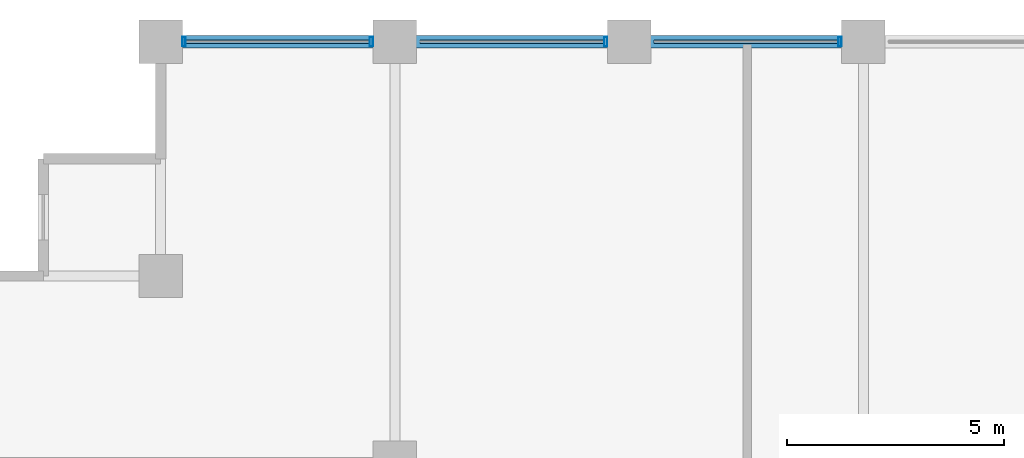
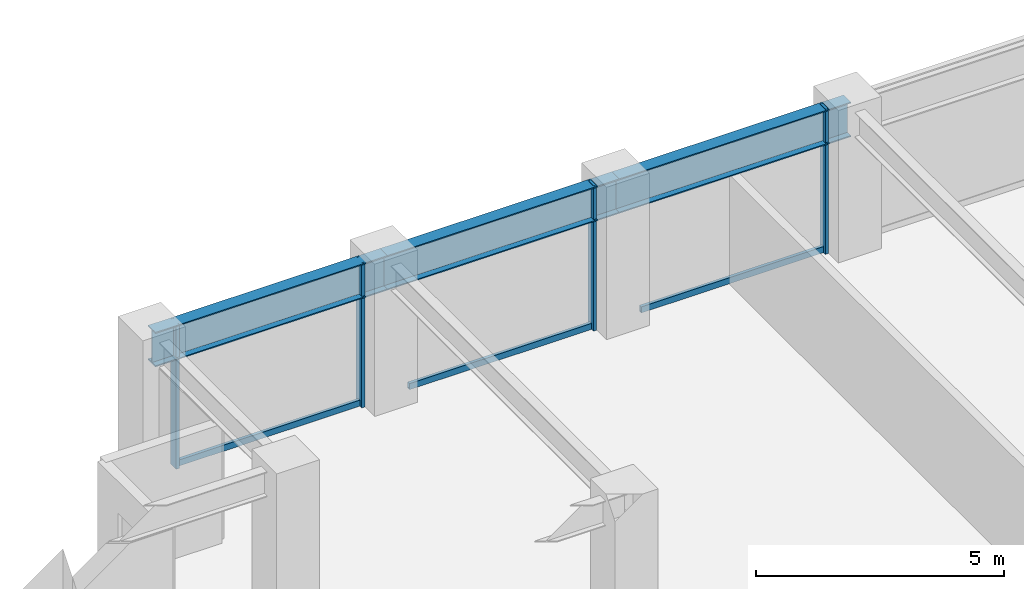
# One storey, part 12 of 23: 7 members, 3 beams, 1 element without a shape of its own.
"""IFC4 building model written with IfcOpenShell, lengths in metres."""

from ifc_helpers import new_model, si_unit, direction, frame, origin, origin_2d, place, context, subcontext, project, spatial, hollow_rectangle, i_section, extrude, material, layer, layer_set, material_profile, profile_set, type_object, element, aggregate, save


model = new_model("IFC4")

# Units and contexts
model_context = context("Model", 3, precision=1e-05, world=origin(), true_north=direction((0.0, 1.0)))
body_context = subcontext(model_context, "Body", "Model", "MODEL_VIEW")
ifc_project = project(units=[si_unit("LENGTHUNIT", "METRE"), si_unit("AREAUNIT", "SQUARE_METRE"), si_unit("VOLUMEUNIT", "CUBIC_METRE"), si_unit("PLANEANGLEUNIT", "RADIAN"), si_unit("MASSUNIT", "GRAM", prefix="KILO")], contexts=[model_context])

# Site, building, storey
site_placement = place(None, origin())
site = spatial("IfcSite", under=ifc_project, at=site_placement, CompositionType="ELEMENT")
building_placement = place(site_placement, origin())
building = spatial("IfcBuilding", under=site, at=building_placement, Name="Surkhivell Harbour Commons", CompositionType="ELEMENT")
storey_placement = place(building_placement, frame((0.0, 0.0, 128.25)))
storey = spatial("IfcBuildingStorey", under=building, at=storey_placement, Name="L33", CompositionType="ELEMENT", Elevation=128.25)

# Beams
ifc_material_1 = material(Name="Steel S460", Category="steel")
ifc_material_profile_1 = material_profile(ifc_material_1, i_section(OverallWidth=0.2939453125, OverallDepth=0.85107421875, WebThickness=0.01611328125, FlangeThickness=0.02685546875, at=origin_2d()), Name="UB838x292x226")
ifc_profile_set_1 = profile_set([ifc_material_profile_1], Name="Steel S460")
beam_type = type_object("IfcBeamType", Name="BM-SPN-838", PredefinedType="SPANDREL", material=ifc_profile_set_1)
beam_1_placement = place(storey_placement, frame((-27.0, 25.89990234375, 3.14453125), z_axis=(1.0, 0.0, 0.0), x_axis=(0.0, 1.0, 0.0)))
element("IfcBeam", 1, at=beam_1_placement, inside=storey, type_object=beam_type, Name="L33 Tube Spandrel (-27.0,25.9)", PredefinedType="SPANDREL", context=body_context, shape_type="SweptSolid", body=[
    extrude(i_section(OverallWidth=0.2939453125, OverallDepth=0.85107421875, WebThickness=0.01611328125, FlangeThickness=0.02685546875, at=origin_2d()), origin(), (0.0, 0.0, 1.0), 5.39990234375),
])
beam_2_placement = place(storey_placement, frame((-21.60009765625, 25.89990234375, 3.14453125), z_axis=(1.0, 0.0, 0.0), x_axis=(0.0, 1.0, 0.0)))
element("IfcBeam", 2, at=beam_2_placement, inside=storey, type_object=beam_type, Name="L33 Tube Spandrel (-21.6,25.9)", PredefinedType="SPANDREL", context=body_context, shape_type="SweptSolid", body=[
    extrude(i_section(OverallWidth=0.2939453125, OverallDepth=0.85107421875, WebThickness=0.01611328125, FlangeThickness=0.02685546875, at=origin_2d()), origin(), (0.0, 0.0, 1.0), 5.400146484375),
])
beam_3_placement = place(storey_placement, frame((-16.199951171875, 25.89990234375, 3.14453125), z_axis=(1.0, 0.0, 0.0), x_axis=(0.0, 1.0, 0.0)))
element("IfcBeam", 3, at=beam_3_placement, inside=storey, type_object=beam_type, Name="L33 Tube Spandrel (-16.2,25.9)", PredefinedType="SPANDREL", context=body_context, shape_type="SweptSolid", body=[
    extrude(i_section(OverallWidth=0.2939453125, OverallDepth=0.85107421875, WebThickness=0.01611328125, FlangeThickness=0.02685546875, at=origin_2d()), origin(), (0.0, 0.0, 1.0), 5.39990234375),
])

# Curtain wall, members
ifc_material_2 = material(Name="Anodised pale-metal aluminium and insulated glazing", Category="aluminium")
ifc_layer = layer(ifc_material_2, 0.205078125)
ifc_layer_set = layer_set([ifc_layer], Name="Anodised pale-metal aluminium and insulated glazing")
curtain_wall_type = type_object("IfcCurtainWallType", Name="CW-SYS-Z2", PredefinedType="NOTDEFINED", material=ifc_layer_set)
curtain_wall_placement = place(storey_placement, origin())
curtain_wall = element("IfcCurtainWall", 4, at=curtain_wall_placement, inside=storey, type_object=curtain_wall_type, Name="L33 Curtain Wall CW-L33-E07S2", PredefinedType="NOTDEFINED")
ifc_material_3 = material(Name="Anodised pale-metal aluminium alloy 6063-T6", Category="aluminium")
ifc_material_profile_2 = material_profile(ifc_material_3, hollow_rectangle(XDim=0.074951171875, YDim=0.219970703125, WallThickness=0.00390625, at=origin_2d()), Name="ALU-MULL-75x220")
ifc_profile_set_2 = profile_set([ifc_material_profile_2], Name="Anodised pale-metal aluminium alloy 6063-T6")
member_type_1 = type_object("IfcMemberType", Name="CWM-220", PredefinedType="MULLION", material=ifc_profile_set_2)
member_1_placement = place(storey_placement, frame((-11.339599609375, 25.89990234375, 0.0), z_axis=(0.0, 0.0, 1.0), x_axis=(-1.0, 0.0, 0.0)))
member_1 = element("IfcMember", 5, at=member_1_placement, type_object=member_type_1, Name="CW-Z2 mullion 2", PredefinedType="MULLION", context=body_context, shape_type="SweptSolid", body=[
    extrude(hollow_rectangle(XDim=0.074951171875, YDim=0.219970703125, WallThickness=0.00390625, at=origin_2d()), origin(), (0.0, 0.0, 1.0), 3.570068359375),
])
member_2_placement = place(storey_placement, frame((-16.739501953125, 25.89990234375, 0.0), z_axis=(0.0, 0.0, 1.0), x_axis=(-1.0, 0.0, 0.0)))
member_2 = element("IfcMember", 6, at=member_2_placement, type_object=member_type_1, Name="CW-Z2 mullion 3", PredefinedType="MULLION", context=body_context, shape_type="SweptSolid", body=[
    extrude(hollow_rectangle(XDim=0.074951171875, YDim=0.219970703125, WallThickness=0.00390625, at=origin_2d()), origin(), (0.0, 0.0, 1.0), 3.570068359375),
])
member_3_placement = place(storey_placement, frame((-22.139404296875, 25.89990234375, 0.0), z_axis=(0.0, 0.0, 1.0), x_axis=(-1.0, 0.0, 0.0)))
member_3 = element("IfcMember", 7, at=member_3_placement, type_object=member_type_1, Name="CW-Z2 mullion 4", PredefinedType="MULLION", context=body_context, shape_type="SweptSolid", body=[
    extrude(hollow_rectangle(XDim=0.074951171875, YDim=0.219970703125, WallThickness=0.00390625, at=origin_2d()), origin(), (0.0, 0.0, 1.0), 3.570068359375),
])
member_4_placement = place(storey_placement, frame((-26.46044921875, 25.89990234375, 0.0), z_axis=(0.0, 0.0, 1.0), x_axis=(-1.0, 0.0, 0.0)))
member_4 = element("IfcMember", 8, at=member_4_placement, type_object=member_type_1, Name="CW-Z2 mullion 5", PredefinedType="MULLION", context=body_context, shape_type="SweptSolid", body=[
    extrude(hollow_rectangle(XDim=0.074951171875, YDim=0.219970703125, WallThickness=0.00390625, at=origin_2d()), origin(), (0.0, 0.0, 1.0), 3.570068359375),
])
ifc_material_profile_3 = material_profile(ifc_material_3, hollow_rectangle(XDim=0.074951171875, YDim=0.14990234375, WallThickness=0.00341796875, at=origin_2d()), Name="ALU-TRAN-75x150")
ifc_profile_set_3 = profile_set([ifc_material_profile_3], Name="Anodised pale-metal aluminium alloy 6063-T6")
member_type_2 = type_object("IfcMemberType", Name="CWT-150", PredefinedType="USERDEFINED", material=ifc_profile_set_3)
member_5_placement = place(storey_placement, frame((-11.376953125, 25.89990234375, 0.074951171875), z_axis=(-1.0, 0.0, 0.0), x_axis=(0.0, -1.0, 0.0)))
member_5 = element("IfcMember", 9, at=member_5_placement, type_object=member_type_2, Name="CW-Z2 transom 2.1", ObjectType="TRANSOM", PredefinedType="USERDEFINED", context=body_context, shape_type="SweptSolid", body=[
    extrude(hollow_rectangle(XDim=0.074951171875, YDim=0.14990234375, WallThickness=0.00341796875, at=origin_2d()), origin(), (0.0, 0.0, 1.0), 4.24609375),
])
member_6_placement = place(storey_placement, frame((-16.777099609375, 25.89990234375, 0.074951171875), z_axis=(-1.0, 0.0, 0.0), x_axis=(0.0, -1.0, 0.0)))
member_6 = element("IfcMember", 10, at=member_6_placement, type_object=member_type_2, Name="CW-Z2 transom 3.1", ObjectType="TRANSOM", PredefinedType="USERDEFINED", context=body_context, shape_type="SweptSolid", body=[
    extrude(hollow_rectangle(XDim=0.074951171875, YDim=0.14990234375, WallThickness=0.00341796875, at=origin_2d()), origin(), (0.0, 0.0, 1.0), 4.245849609375),
])
member_7_placement = place(storey_placement, frame((-22.177001953125, 25.89990234375, 0.074951171875), z_axis=(-1.0, 0.0, 0.0), x_axis=(0.0, -1.0, 0.0)))
member_7 = element("IfcMember", 11, at=member_7_placement, type_object=member_type_2, Name="CW-Z2 transom 4.1", ObjectType="TRANSOM", PredefinedType="USERDEFINED", context=body_context, shape_type="SweptSolid", body=[
    extrude(hollow_rectangle(XDim=0.074951171875, YDim=0.14990234375, WallThickness=0.00341796875, at=origin_2d()), origin(), (0.0, 0.0, 1.0), 4.24609375),
])
aggregate(curtain_wall, [member_1, member_5, member_2, member_6, member_3, member_4, member_7])

save(model, "model.ifc")
